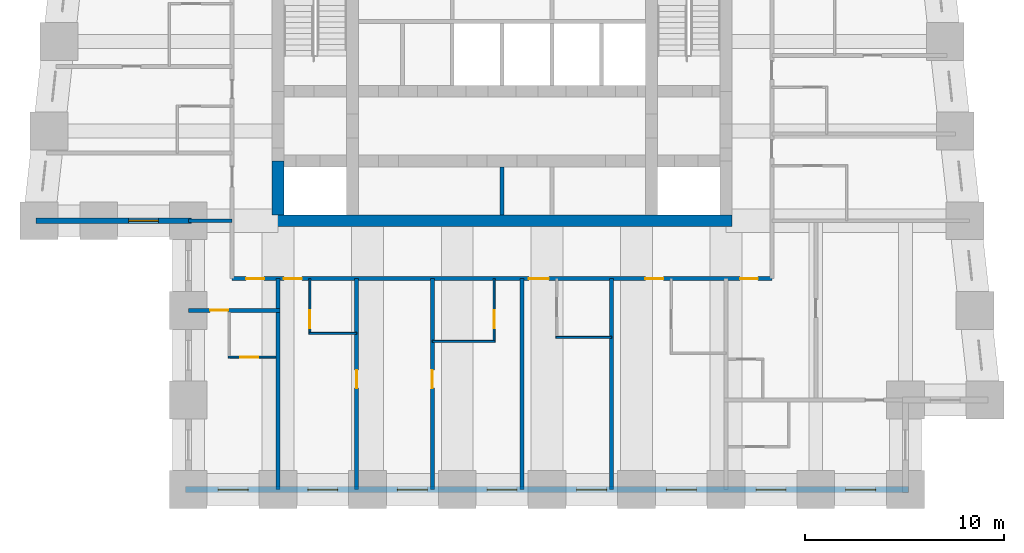
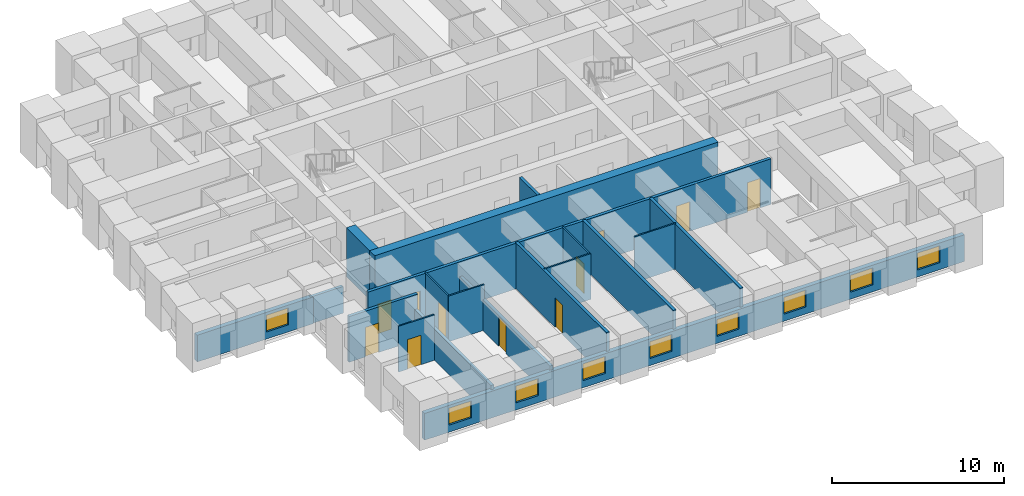
# One storey, part 2 of 8: 19 walls, 11 doors, 9 windows, 20 openings.
"""IFC4 building model written with IfcOpenShell, lengths in metres."""

from ifc_helpers import new_model, si_unit, direction, frame, frame_2d, origin, place, context, subcontext, project, spatial, rectangle, extrude, material, layer, layer_set, type_object, element, fill, save


model = new_model("IFC4")

# Units and contexts
model_context = context("Model", 3, precision=1e-05, world=origin(), true_north=direction((0.0, 1.0)))
body_context = subcontext(model_context, "Body", "Model", "MODEL_VIEW")
ifc_project = project(units=[si_unit("LENGTHUNIT", "METRE"), si_unit("AREAUNIT", "SQUARE_METRE"), si_unit("VOLUMEUNIT", "CUBIC_METRE"), si_unit("PLANEANGLEUNIT", "RADIAN"), si_unit("MASSUNIT", "GRAM", prefix="KILO")], contexts=[model_context])

# Site, building, storey
site_placement = place(None, origin())
site = spatial("IfcSite", under=ifc_project, at=site_placement, CompositionType="ELEMENT")
building_placement = place(site_placement, origin())
building = spatial("IfcBuilding", under=site, at=building_placement, Name="Kilele Tower Hotel", CompositionType="ELEMENT")
storey_placement = place(building_placement, frame((0.0, 0.0, 207.89990234375)))
storey = spatial("IfcBuildingStorey", under=building, at=storey_placement, Name="L54", CompositionType="ELEMENT", Elevation=207.89990234375)

# Wall
ifc_material_1 = material(Name="Moisture-resistant board")
ifc_layer_1 = layer(ifc_material_1, 0.10009765625)
ifc_layer_set_1 = layer_set([ifc_layer_1], Name="Moisture-resistant board")
wall_type_1 = type_object("IfcWallType", Name="Bathroom partition 100", PredefinedType="PLUMBINGWALL", material=ifc_layer_set_1)
wall_1_placement = place(storey_placement, frame((15.050048828125, 7.85009765625, 0.0), z_axis=(0.0, 0.0, 1.0), x_axis=(1.0, 0.0, 0.0)))
element("IfcWall", 1, at=wall_1_placement, inside=storey, type_object=wall_type_1, Name="Bathroom partition 100 L54", PredefinedType="PLUMBINGWALL", context=body_context, shape_type="SweptSolid", body=[
    extrude(rectangle(XDim=2.39990234375, YDim=0.10009765625, at=frame_2d((1.199951171875, 0.0))), origin(), (0.0, 0.0, 1.0), 3.25),
])

# Wall, opening, door
wall_2_placement = place(storey_placement, frame((15.10009765625, 10.60009765625, 0.0), z_axis=(0.0, 0.0, 1.0), x_axis=(0.0, -1.0, 0.0)))
wall_2 = element("IfcWall", 2, at=wall_2_placement, inside=storey, type_object=wall_type_1, Name="Bathroom partition 100 L54", PredefinedType="PLUMBINGWALL", context=body_context, shape_type="SweptSolid", body=[
    extrude(rectangle(XDim=2.800048828125, YDim=0.10009765625, at=frame_2d((1.39990234375, 0.0))), origin(), (0.0, 0.0, 1.0), 3.25),
])
opening_1_placement = place(wall_2_placement, frame((2.5, 0.0, 0.0), z_axis=(0.0, 0.0, 1.0), x_axis=(-1.0, 0.0, 0.0)))
opening_1 = element("IfcOpeningElement", 3, at=opening_1_placement, cuts=wall_2, Name="Opening D2A", PredefinedType="OPENING", context=body_context, shape_type="SweptSolid", body=[
    extrude(rectangle(XDim=0.89990234375, YDim=2.10009765625, at=frame_2d((0.449951171875, 1.050048828125))), frame((0.0, 0.06005859375, 0.0), z_axis=(0.0, -1.0, 0.0), x_axis=(1.0, 0.0, 0.0)), (0.0, 0.0, 1.0), 0.1201171875),
])
ifc_material_2 = material(Name="Timber door leaf in hardwood frame", Category="wood")
door_type_1 = type_object("IfcDoorType", Name="Bathroom door 900", OperationType="SINGLE_SWING_LEFT", PredefinedType="DOOR", material=ifc_material_2)
door_1_placement = place(opening_1_placement, origin())
door_1 = element("IfcDoor", 4, at=door_1_placement, inside=storey, type_object=door_type_1, Name="Bathroom door 5401B", OperationType="SINGLE_SWING_LEFT", OverallHeight=2.10009765625, OverallWidth=0.89990234375, PredefinedType="DOOR", context=body_context, shape_type="SweptSolid", body=[
    extrude(rectangle(XDim=0.89990234375, YDim=2.10009765625, at=frame_2d((0.449951171875, 1.050048828125))), frame((0.0, 0.02490234375, 0.0), z_axis=(0.0, -1.0, 0.0), x_axis=(1.0, 0.0, 0.0)), (0.0, 0.0, 1.0), 0.050048828125),
])
fill(opening_1, door_1)

# Wall
wall_3_placement = place(storey_placement, frame((21.25, 7.449951171875, 0.0), z_axis=(0.0, 0.0, 1.0), x_axis=(1.0, 0.0, 0.0)))
element("IfcWall", 5, at=wall_3_placement, inside=storey, type_object=wall_type_1, Name="Bathroom partition 100 L54", PredefinedType="PLUMBINGWALL", context=body_context, shape_type="SweptSolid", body=[
    extrude(rectangle(XDim=3.14990234375, YDim=0.10009765625, at=frame_2d((1.574951171875, 0.0))), origin(), (0.0, 0.0, 1.0), 3.25),
])

# Wall, opening, door
wall_4_placement = place(storey_placement, frame((24.35009765625, 10.60009765625, 0.0), z_axis=(0.0, 0.0, 1.0), x_axis=(0.0, -1.0, 0.0)))
wall_4 = element("IfcWall", 6, at=wall_4_placement, inside=storey, type_object=wall_type_1, Name="Bathroom partition 100 L54", PredefinedType="PLUMBINGWALL", context=body_context, shape_type="SweptSolid", body=[
    extrude(rectangle(XDim=3.2001953125, YDim=0.10009765625, at=frame_2d((1.60009765625, 0.0))), origin(), (0.0, 0.0, 1.0), 3.25),
])
opening_2_placement = place(wall_4_placement, frame((1.60009765625, 0.0, 0.0)))
opening_2 = element("IfcOpeningElement", 7, at=opening_2_placement, cuts=wall_4, Name="Opening D2A", PredefinedType="OPENING", context=body_context, shape_type="SweptSolid", body=[
    extrude(rectangle(XDim=0.89990234375, YDim=2.10009765625, at=frame_2d((0.449951171875, 1.050048828125))), frame((0.0, 0.06005859375, 0.0), z_axis=(0.0, -1.0, 0.0), x_axis=(1.0, 0.0, 0.0)), (0.0, 0.0, 1.0), 0.1201171875),
])
door_2_placement = place(opening_2_placement, origin())
door_2 = element("IfcDoor", 8, at=door_2_placement, inside=storey, type_object=door_type_1, Name="Bathroom door 5403B", OperationType="SINGLE_SWING_RIGHT", OverallHeight=2.10009765625, OverallWidth=0.89990234375, PredefinedType="DOOR", context=body_context, shape_type="SweptSolid", body=[
    extrude(rectangle(XDim=0.89990234375, YDim=2.10009765625, at=frame_2d((0.449951171875, 1.050048828125))), frame((0.0, 0.02490234375, 0.0), z_axis=(0.0, -1.0, 0.0), x_axis=(1.0, 0.0, 0.0)), (0.0, 0.0, 1.0), 0.050048828125),
])
fill(opening_2, door_2)

# Wall
wall_5_placement = place(storey_placement, frame((27.449951171875, 7.64990234375, 0.0), z_axis=(0.0, 0.0, 1.0), x_axis=(1.0, 0.0, 0.0)))
element("IfcWall", 9, at=wall_5_placement, inside=storey, type_object=wall_type_1, Name="Bathroom partition 100 L54", PredefinedType="PLUMBINGWALL", context=body_context, shape_type="SweptSolid", body=[
    extrude(rectangle(XDim=2.800048828125, YDim=0.10009765625, at=frame_2d((1.39990234375, 0.0))), origin(), (0.0, 0.0, 1.0), 3.25),
])

# Wall, opening, door
wall_6_placement = place(storey_placement, frame((13.39990234375, 6.64990234375, 0.0), z_axis=(0.0, 0.0, 1.0), x_axis=(-1.0, 0.0, 0.0)))
wall_6 = element("IfcWall", 10, at=wall_6_placement, inside=storey, type_object=wall_type_1, Name="Bathroom partition 100 L54", PredefinedType="PLUMBINGWALL", context=body_context, shape_type="SweptSolid", body=[
    extrude(rectangle(XDim=2.39990234375, YDim=0.10009765625, at=frame_2d((1.199951171875, 0.0))), origin(), (0.0, 0.0, 1.0), 3.25),
])
opening_3_placement = place(wall_6_placement, frame((0.89990234375, 0.0, 0.0)))
opening_3 = element("IfcOpeningElement", 11, at=opening_3_placement, cuts=wall_6, Name="Opening D2A", PredefinedType="OPENING", context=body_context, shape_type="SweptSolid", body=[
    extrude(rectangle(XDim=0.89990234375, YDim=2.10009765625, at=frame_2d((0.449951171875, 1.050048828125))), frame((0.0, 0.06005859375, 0.0), z_axis=(0.0, -1.0, 0.0), x_axis=(1.0, 0.0, 0.0)), (0.0, 0.0, 1.0), 0.1201171875),
])
door_3_placement = place(opening_3_placement, origin())
door_3 = element("IfcDoor", 12, at=door_3_placement, inside=storey, type_object=door_type_1, Name="Bathroom door 5418B", OperationType="SINGLE_SWING_LEFT", OverallHeight=2.10009765625, OverallWidth=0.89990234375, PredefinedType="DOOR", context=body_context, shape_type="SweptSolid", body=[
    extrude(rectangle(XDim=0.89990234375, YDim=2.10009765625, at=frame_2d((0.449951171875, 1.050048828125))), frame((0.0, 0.02490234375, 0.0), z_axis=(0.0, -1.0, 0.0), x_axis=(1.0, 0.0, 0.0)), (0.0, 0.0, 1.0), 0.050048828125),
])
fill(opening_3, door_3)

# Walls
ifc_material_3 = material(Name="Concrete C70/85", Category="concrete")
ifc_layer_2 = layer(ifc_material_3, 0.60009765625)
ifc_layer_set_2 = layer_set([ifc_layer_2], Name="Concrete C70/85")
wall_type_2 = type_object("IfcWallType", Name="Core wall 600 C70/85", PredefinedType="SHEAR", material=ifc_layer_set_2)
wall_7_placement = place(storey_placement, frame((13.199951171875, 13.5, 0.0), z_axis=(0.0, 0.0, 1.0), x_axis=(1.0, 0.0, 0.0)))
element("IfcWall", 13, at=wall_7_placement, inside=storey, type_object=wall_type_2, Name="Core wall S L54", PredefinedType="SHEAR", context=body_context, shape_type="SweptSolid", body=[
    extrude(rectangle(XDim=23.10009765625, YDim=0.60009765625, at=frame_2d((11.550048828125, 0.0))), origin(), (0.0, 0.0, 1.0), 3.5),
])
wall_8_placement = place(storey_placement, frame((13.5, 16.5, 0.0), z_axis=(0.0, 0.0, 1.0), x_axis=(0.0, -1.0, 0.0)))
element("IfcWall", 14, at=wall_8_placement, inside=storey, type_object=wall_type_2, Name="Core wall W3 L54", PredefinedType="SHEAR", context=body_context, shape_type="SweptSolid", body=[
    extrude(rectangle(XDim=2.699951171875, YDim=0.60009765625, at=frame_2d((1.35009765625, 0.0))), origin(), (0.0, 0.0, 1.0), 3.5),
])

# Wall, openings, doors
ifc_material_4 = material(Name="Blockwork, plastered both sides", Category="masonry")
ifc_layer_3 = layer(ifc_material_4, 0.199951171875)
ifc_layer_set_3 = layer_set([ifc_layer_3], Name="Blockwork, plastered both sides")
wall_type_3 = type_object("IfcWallType", Name="Corridor wall 200", PredefinedType="PARTITIONING", material=ifc_layer_set_3)
wall_9_placement = place(storey_placement, frame((11.199951171875, 10.60009765625, 0.0), z_axis=(0.0, 0.0, 1.0), x_axis=(1.0, 0.0, 0.0)))
wall_9 = element("IfcWall", 15, at=wall_9_placement, inside=storey, type_object=wall_type_3, Name="Corridor wall 200 L54", PredefinedType="PARTITIONING", context=body_context, shape_type="SweptSolid", body=[
    extrude(rectangle(XDim=27.10009765625, YDim=0.199951171875, at=frame_2d((13.550048828125, 0.0))), origin(), (0.0, 0.0, 1.0), 3.25),
])
opening_4_placement = place(wall_9_placement, frame((3.5, 0.0, 0.0), z_axis=(0.0, 0.0, 1.0), x_axis=(-1.0, 0.0, 0.0)))
opening_4 = element("IfcOpeningElement", 16, at=opening_4_placement, cuts=wall_9, Name="Opening D1", PredefinedType="OPENING", context=body_context, shape_type="SweptSolid", body=[
    extrude(rectangle(XDim=0.89990234375, YDim=2.10009765625, at=frame_2d((0.449951171875, 1.050048828125))), frame((0.0, 0.10986328125, 0.0), z_axis=(0.0, -1.0, 0.0), x_axis=(1.0, 0.0, 0.0)), (0.0, 0.0, 1.0), 0.219970703125),
])
opening_5_placement = place(wall_9_placement, frame((15.89990234375, 0.0, 0.0), z_axis=(0.0, 0.0, 1.0), x_axis=(-1.0, 0.0, 0.0)))
opening_5 = element("IfcOpeningElement", 17, at=opening_5_placement, cuts=wall_9, Name="Opening D1A", PredefinedType="OPENING", context=body_context, shape_type="SweptSolid", body=[
    extrude(rectangle(XDim=1.0, YDim=2.10009765625, at=frame_2d((0.5, 1.050048828125))), frame((0.0, 0.10986328125, 0.0), z_axis=(0.0, -1.0, 0.0), x_axis=(1.0, 0.0, 0.0)), (0.0, 0.0, 1.0), 0.219970703125),
])
opening_6_placement = place(wall_9_placement, frame((21.64990234375, 0.0, 0.0), z_axis=(0.0, 0.0, 1.0), x_axis=(-1.0, 0.0, 0.0)))
opening_6 = element("IfcOpeningElement", 18, at=opening_6_placement, cuts=wall_9, Name="Opening D1", PredefinedType="OPENING", context=body_context, shape_type="SweptSolid", body=[
    extrude(rectangle(XDim=0.89990234375, YDim=2.10009765625, at=frame_2d((0.449951171875, 1.050048828125))), frame((0.0, 0.10986328125, 0.0), z_axis=(0.0, -1.0, 0.0), x_axis=(1.0, 0.0, 0.0)), (0.0, 0.0, 1.0), 0.219970703125),
])
opening_7_placement = place(wall_9_placement, frame((1.599853515625, 0.0, 0.0), z_axis=(0.0, 0.0, 1.0), x_axis=(-1.0, 0.0, 0.0)))
opening_7 = element("IfcOpeningElement", 19, at=opening_7_placement, cuts=wall_9, Name="Opening D1", PredefinedType="OPENING", context=body_context, shape_type="SweptSolid", body=[
    extrude(rectangle(XDim=0.89990234375, YDim=2.10009765625, at=frame_2d((0.449951171875, 1.050048828125))), frame((0.0, 0.10986328125, 0.0), z_axis=(0.0, -1.0, 0.0), x_axis=(1.0, 0.0, 0.0)), (0.0, 0.0, 1.0), 0.219970703125),
])
opening_8_placement = place(wall_9_placement, frame((26.39990234375, 0.0, 0.0), z_axis=(0.0, 0.0, 1.0), x_axis=(-1.0, 0.0, 0.0)))
opening_8 = element("IfcOpeningElement", 20, at=opening_8_placement, cuts=wall_9, Name="Opening D1", PredefinedType="OPENING", context=body_context, shape_type="SweptSolid", body=[
    extrude(rectangle(XDim=0.89990234375, YDim=2.10009765625, at=frame_2d((0.449951171875, 1.050048828125))), frame((0.0, 0.10986328125, 0.0), z_axis=(0.0, -1.0, 0.0), x_axis=(1.0, 0.0, 0.0)), (0.0, 0.0, 1.0), 0.219970703125),
])
ifc_material_5 = material(Name="Timber door leaf in hardwood frame", Category="wood")
door_type_2 = type_object("IfcDoorType", Name="Guest room entrance door 1000", OperationType="SINGLE_SWING_LEFT", PredefinedType="DOOR", material=ifc_material_5)
door_4_placement = place(opening_5_placement, origin())
door_4 = element("IfcDoor", 21, at=door_4_placement, inside=storey, type_object=door_type_2, Name="Room entrance 5404", OperationType="SINGLE_SWING_LEFT", OverallHeight=2.10009765625, OverallWidth=1.0, PredefinedType="DOOR", context=body_context, shape_type="SweptSolid", body=[
    extrude(rectangle(XDim=1.0, YDim=2.10009765625, at=frame_2d((0.5, 1.050048828125))), frame((0.0, 0.02490234375, 0.0), z_axis=(0.0, -1.0, 0.0), x_axis=(1.0, 0.0, 0.0)), (0.0, 0.0, 1.0), 0.050048828125),
])
fill(opening_5, door_4)
ifc_material_6 = material(Name="Timber door leaf in hardwood frame", Category="wood")
door_type_3 = type_object("IfcDoorType", Name="Guest room entrance door 900", OperationType="SINGLE_SWING_LEFT", PredefinedType="DOOR", material=ifc_material_6)
door_5_placement = place(opening_4_placement, origin())
door_5 = element("IfcDoor", 22, at=door_5_placement, inside=storey, type_object=door_type_3, Name="Room entrance 5401", OperationType="SINGLE_SWING_RIGHT", OverallHeight=2.10009765625, OverallWidth=0.89990234375, PredefinedType="DOOR", context=body_context, shape_type="SweptSolid", body=[
    extrude(rectangle(XDim=0.89990234375, YDim=2.10009765625, at=frame_2d((0.449951171875, 1.050048828125))), frame((0.0, 0.02490234375, 0.0), z_axis=(0.0, -1.0, 0.0), x_axis=(1.0, 0.0, 0.0)), (0.0, 0.0, 1.0), 0.050048828125),
])
fill(opening_4, door_5)
door_6_placement = place(opening_6_placement, origin())
door_6 = element("IfcDoor", 23, at=door_6_placement, inside=storey, type_object=door_type_3, Name="Room entrance 5405", OperationType="SINGLE_SWING_LEFT", OverallHeight=2.10009765625, OverallWidth=0.89990234375, PredefinedType="DOOR", context=body_context, shape_type="SweptSolid", body=[
    extrude(rectangle(XDim=0.89990234375, YDim=2.10009765625, at=frame_2d((0.449951171875, 1.050048828125))), frame((0.0, 0.02490234375, 0.0), z_axis=(0.0, -1.0, 0.0), x_axis=(1.0, 0.0, 0.0)), (0.0, 0.0, 1.0), 0.050048828125),
])
fill(opening_6, door_6)
door_7_placement = place(opening_7_placement, origin())
door_7 = element("IfcDoor", 24, at=door_7_placement, inside=storey, type_object=door_type_3, Name="Room entrance 5417", OperationType="SINGLE_SWING_LEFT", OverallHeight=2.10009765625, OverallWidth=0.89990234375, PredefinedType="DOOR", context=body_context, shape_type="SweptSolid", body=[
    extrude(rectangle(XDim=0.89990234375, YDim=2.10009765625, at=frame_2d((0.449951171875, 1.050048828125))), frame((0.0, 0.02490234375, 0.0), z_axis=(0.0, -1.0, 0.0), x_axis=(1.0, 0.0, 0.0)), (0.0, 0.0, 1.0), 0.050048828125),
])
fill(opening_7, door_7)
door_8_placement = place(opening_8_placement, origin())
door_8 = element("IfcDoor", 25, at=door_8_placement, inside=storey, type_object=door_type_3, Name="Room entrance 5419", OperationType="SINGLE_SWING_RIGHT", OverallHeight=2.10009765625, OverallWidth=0.89990234375, PredefinedType="DOOR", context=body_context, shape_type="SweptSolid", body=[
    extrude(rectangle(XDim=0.89990234375, YDim=2.10009765625, at=frame_2d((0.449951171875, 1.050048828125))), frame((0.0, 0.02490234375, 0.0), z_axis=(0.0, -1.0, 0.0), x_axis=(1.0, 0.0, 0.0)), (0.0, 0.0, 1.0), 0.050048828125),
])
fill(opening_8, door_8)

# Wall, opening, door
ifc_material_7 = material(Name="Blockwork, plastered both sides", Category="masonry")
ifc_layer_4 = layer(ifc_material_7, 0.199951171875)
ifc_layer_set_4 = layer_set([ifc_layer_4], Name="Blockwork, plastered both sides")
wall_type_4 = type_object("IfcWallType", Name="Party wall 200", PredefinedType="PARTITIONING", material=ifc_layer_set_4)
wall_10_placement = place(storey_placement, frame((17.449951171875, 10.60009765625, 0.0), z_axis=(0.0, 0.0, 1.0), x_axis=(0.0, -1.0, 0.0)))
wall_10 = element("IfcWall", 26, at=wall_10_placement, inside=storey, type_object=wall_type_4, Name="Party wall 200 L54", PredefinedType="PARTITIONING", context=body_context, shape_type="SweptSolid", body=[
    extrude(rectangle(XDim=10.60009765625, YDim=0.199951171875, at=frame_2d((5.300048828125, 0.0))), origin(), (0.0, 0.0, 1.0), 2.2001953125),
])
opening_9_placement = place(wall_10_placement, frame((5.5, 0.0, 0.0), z_axis=(0.0, 0.0, 1.0), x_axis=(-1.0, 0.0, 0.0)))
opening_9 = element("IfcOpeningElement", 27, at=opening_9_placement, cuts=wall_10, Name="Opening D3", PredefinedType="OPENING", context=body_context, shape_type="SweptSolid", body=[
    extrude(rectangle(XDim=0.89990234375, YDim=2.10009765625, at=frame_2d((0.449951171875, 1.050048828125))), frame((0.0, 0.10986328125, 0.0), z_axis=(0.0, -1.0, 0.0), x_axis=(1.0, 0.0, 0.0)), (0.0, 0.0, 1.0), 0.219970703125),
])
ifc_material_8 = material(Name="Timber door leaf in hardwood frame", Category="wood")
door_type_4 = type_object("IfcDoorType", Name="Suite internal door 900", OperationType="SINGLE_SWING_LEFT", PredefinedType="DOOR", material=ifc_material_8)
door_9_placement = place(opening_9_placement, origin())
door_9 = element("IfcDoor", 28, at=door_9_placement, inside=storey, type_object=door_type_4, Name="Suite door 5402", OperationType="SINGLE_SWING_RIGHT", OverallHeight=2.10009765625, OverallWidth=0.89990234375, PredefinedType="DOOR", context=body_context, shape_type="SweptSolid", body=[
    extrude(rectangle(XDim=0.89990234375, YDim=2.10009765625, at=frame_2d((0.449951171875, 1.050048828125))), frame((0.0, 0.02490234375, 0.0), z_axis=(0.0, -1.0, 0.0), x_axis=(1.0, 0.0, 0.0)), (0.0, 0.0, 1.0), 0.050048828125),
])
fill(opening_9, door_9)

wall_11_placement = place(storey_placement, frame((21.25, 10.60009765625, 0.0), z_axis=(0.0, 0.0, 1.0), x_axis=(0.0, -1.0, 0.0)))
wall_11 = element("IfcWall", 29, at=wall_11_placement, inside=storey, type_object=wall_type_4, Name="Party wall 200 L54", PredefinedType="PARTITIONING", context=body_context, shape_type="SweptSolid", body=[
    extrude(rectangle(XDim=10.60009765625, YDim=0.199951171875, at=frame_2d((5.300048828125, 0.0))), origin(), (0.0, 0.0, 1.0), 3.25),
])
opening_10_placement = place(wall_11_placement, frame((4.60009765625, 0.0, 0.0)))
opening_10 = element("IfcOpeningElement", 30, at=opening_10_placement, cuts=wall_11, Name="Opening D3", PredefinedType="OPENING", context=body_context, shape_type="SweptSolid", body=[
    extrude(rectangle(XDim=0.89990234375, YDim=2.10009765625, at=frame_2d((0.449951171875, 1.050048828125))), frame((0.0, 0.10986328125, 0.0), z_axis=(0.0, -1.0, 0.0), x_axis=(1.0, 0.0, 0.0)), (0.0, 0.0, 1.0), 0.219970703125),
])
door_10_placement = place(opening_10_placement, origin())
door_10 = element("IfcDoor", 31, at=door_10_placement, inside=storey, type_object=door_type_4, Name="Suite door 5403", OperationType="SINGLE_SWING_LEFT", OverallHeight=2.10009765625, OverallWidth=0.89990234375, PredefinedType="DOOR", context=body_context, shape_type="SweptSolid", body=[
    extrude(rectangle(XDim=0.89990234375, YDim=2.10009765625, at=frame_2d((0.449951171875, 1.050048828125))), frame((0.0, 0.02490234375, 0.0), z_axis=(0.0, -1.0, 0.0), x_axis=(1.0, 0.0, 0.0)), (0.0, 0.0, 1.0), 0.050048828125),
])
fill(opening_10, door_10)

# Walls
for number, where, z_axis, x_axis, name in (
    (32, (25.75, 10.60009765625, 0.0), (0.0, 0.0, 1.0), (0.0, -1.0, 0.0), "Party wall 200 L54"),
    (33, (30.25, 10.60009765625, 0.0), (0.0, 0.0, 1.0), (0.0, -1.0, 0.0), "Party wall 200 L54"),
):
    element("IfcWall", number, at=place(storey_placement, frame(where, z_axis=z_axis, x_axis=x_axis)), inside=storey, type_object=wall_type_4, Name=name, PredefinedType="PARTITIONING", context=body_context, shape_type="SweptSolid", body=[
        extrude(rectangle(XDim=10.60009765625, YDim=0.199951171875, at=frame_2d((5.300048828125, 0.0))), origin(), (0.0, 0.0, 1.0), 3.25),
    ])
wall_12_placement = place(storey_placement, frame((11.199951171875, 13.5, 0.0), z_axis=(0.0, 0.0, 1.0), x_axis=(-1.0, 0.0, 0.0)))
element("IfcWall", 34, at=wall_12_placement, inside=storey, type_object=wall_type_4, Name="Party wall 200 L54", PredefinedType="PARTITIONING", context=body_context, shape_type="SweptSolid", body=[
    extrude(rectangle(XDim=2.199951171875, YDim=0.199951171875, at=frame_2d((1.10009765625, 0.0))), origin(), (0.0, 0.0, 1.0), 1.900146484375),
])
wall_13_placement = place(storey_placement, frame((13.5, 10.60009765625, 0.0), z_axis=(0.0, 0.0, 1.0), x_axis=(0.0, -1.0, 0.0)))
element("IfcWall", 35, at=wall_13_placement, inside=storey, type_object=wall_type_4, Name="Party wall 200 L54", PredefinedType="PARTITIONING", context=body_context, shape_type="SweptSolid", body=[
    extrude(rectangle(XDim=10.60009765625, YDim=0.199951171875, at=frame_2d((5.300048828125, 0.0))), origin(), (0.0, 0.0, 1.0), 2.2001953125),
])

# Wall, opening, door
wall_14_placement = place(storey_placement, frame((13.60009765625, 9.0, 0.0), z_axis=(0.0, 0.0, 1.0), x_axis=(-1.0, 0.0, 0.0)))
wall_14 = element("IfcWall", 36, at=wall_14_placement, inside=storey, type_object=wall_type_4, Name="Party wall 200 L54", PredefinedType="PARTITIONING", context=body_context, shape_type="SweptSolid", body=[
    extrude(rectangle(XDim=4.60009765625, YDim=0.199951171875, at=frame_2d((2.300048828125, 0.0))), origin(), (0.0, 0.0, 1.0), 3.25),
])
opening_11_placement = place(wall_14_placement, frame((2.60009765625, 0.0, 0.0)))
opening_11 = element("IfcOpeningElement", 37, at=opening_11_placement, cuts=wall_14, Name="Opening D3", PredefinedType="OPENING", context=body_context, shape_type="SweptSolid", body=[
    extrude(rectangle(XDim=0.89990234375, YDim=2.10009765625, at=frame_2d((0.449951171875, 1.050048828125))), frame((0.0, 0.10986328125, 0.0), z_axis=(0.0, -1.0, 0.0), x_axis=(1.0, 0.0, 0.0)), (0.0, 0.0, 1.0), 0.219970703125),
])
door_11_placement = place(opening_11_placement, origin())
door_11 = element("IfcDoor", 38, at=door_11_placement, inside=storey, type_object=door_type_4, Name="Suite door 5418", OperationType="SINGLE_SWING_LEFT", OverallHeight=2.10009765625, OverallWidth=0.89990234375, PredefinedType="DOOR", context=body_context, shape_type="SweptSolid", body=[
    extrude(rectangle(XDim=0.89990234375, YDim=2.10009765625, at=frame_2d((0.449951171875, 1.050048828125))), frame((0.0, 0.02490234375, 0.0), z_axis=(0.0, -1.0, 0.0), x_axis=(1.0, 0.0, 0.0)), (0.0, 0.0, 1.0), 0.050048828125),
])
fill(opening_11, door_11)

# Wall, opening, window
ifc_material_9 = material(Name="Concrete C40/50 precast", Category="concrete")
ifc_layer_5 = layer(ifc_material_9, 0.260009765625, Name="Precast backing", Category="LoadBearing")
ifc_material_10 = material(Name="Reconstituted stone finish", Category="masonry")
ifc_layer_6 = layer(ifc_material_10, 0.0400390625, Name="Face mix", Category="Finish")
ifc_layer_set_5 = layer_set([ifc_layer_5, ifc_layer_6], Name="Precast concrete C40/50, reconstituted stone finish")
wall_type_5 = type_object("IfcWallType", Name="Precast stone facade wall 300", PredefinedType="STANDARD", material=ifc_layer_set_5)
wall_15_placement = place(storey_placement, frame((1.35009765625, 13.5, 0.0), z_axis=(0.0, 0.0, 1.0), x_axis=(1.0, 0.0, 0.0)))
wall_15 = element("IfcWall", 39, at=wall_15_placement, inside=storey, type_object=wall_type_5, Name="Facade wall L54 edge 1", PredefinedType="STANDARD", context=body_context, shape_type="SweptSolid", body=[
    extrude(rectangle(XDim=7.7998046875, YDim=0.300048828125, at=frame_2d((3.89990234375, 0.0))), origin(), (0.0, 0.0, 1.0), 1.900146484375),
])
opening_12_placement = place(wall_15_placement, frame((4.64990234375, 0.0, 0.5)))
opening_12 = element("IfcOpeningElement", 40, at=opening_12_placement, cuts=wall_15, Name="Opening W3", PredefinedType="OPENING", context=body_context, shape_type="SweptSolid", body=[
    extrude(rectangle(XDim=1.5, YDim=1.199951171875, at=frame_2d((0.75, 0.60009765625))), frame((0.0, 0.159912109375, 0.0), z_axis=(0.0, -1.0, 0.0), x_axis=(1.0, 0.0, 0.0)), (0.0, 0.0, 1.0), 0.320068359375),
])
ifc_material_11 = material(Name="Aluminium frame, clear double glazing", Category="aluminium")
window_type = type_object("IfcWindowType", Name="Window W3 1500 x 1200", PartitioningType="SINGLE_PANEL", PredefinedType="WINDOW", material=ifc_material_11)
window_1_placement = place(opening_12_placement, origin())
window_1 = element("IfcWindow", 41, at=window_1_placement, inside=storey, type_object=window_type, Name="Window L54", OverallHeight=1.199951171875, OverallWidth=1.5, PartitioningType="SINGLE_PANEL", PredefinedType="WINDOW", context=body_context, shape_type="SweptSolid", body=[
    extrude(rectangle(XDim=1.5, YDim=1.199951171875, at=frame_2d((0.75, 0.60009765625))), frame((0.0, 0.030029296875, 0.0), z_axis=(0.0, -1.0, 0.0), x_axis=(1.0, 0.0, 0.0)), (0.0, 0.0, 1.0), 0.06005859375),
])
fill(opening_12, window_1)

# Wall, openings, windows
wall_16_placement = place(storey_placement, frame((8.85009765625, 0.0, 0.0), z_axis=(0.0, 0.0, 1.0), x_axis=(1.0, 0.0, 0.0)))
wall_16 = element("IfcWall", 42, at=wall_16_placement, inside=storey, type_object=wall_type_5, Name="Facade wall L54 edge 3", PredefinedType="STANDARD", context=body_context, shape_type="SweptSolid", body=[
    extrude(rectangle(XDim=36.2998046875, YDim=0.300048828125, at=frame_2d((18.14990234375, 0.0))), origin(), (0.0, 0.0, 1.0), 1.900146484375),
])
opening_13_placement = place(wall_16_placement, frame((1.64990234375, 0.0, 0.5)))
opening_13 = element("IfcOpeningElement", 43, at=opening_13_placement, cuts=wall_16, Name="Opening W3", PredefinedType="OPENING", context=body_context, shape_type="SweptSolid", body=[
    extrude(rectangle(XDim=1.5, YDim=1.199951171875, at=frame_2d((0.75, 0.60009765625))), frame((0.0, 0.159912109375, 0.0), z_axis=(0.0, -1.0, 0.0), x_axis=(1.0, 0.0, 0.0)), (0.0, 0.0, 1.0), 0.320068359375),
])
opening_14_placement = place(wall_16_placement, frame((6.14990234375, 0.0, 0.5)))
opening_14 = element("IfcOpeningElement", 44, at=opening_14_placement, cuts=wall_16, Name="Opening W3", PredefinedType="OPENING", context=body_context, shape_type="SweptSolid", body=[
    extrude(rectangle(XDim=1.5, YDim=1.199951171875, at=frame_2d((0.75, 0.60009765625))), frame((0.0, 0.159912109375, 0.0), z_axis=(0.0, -1.0, 0.0), x_axis=(1.0, 0.0, 0.0)), (0.0, 0.0, 1.0), 0.320068359375),
])
opening_15_placement = place(wall_16_placement, frame((10.64990234375, 0.0, 0.5)))
opening_15 = element("IfcOpeningElement", 45, at=opening_15_placement, cuts=wall_16, Name="Opening W3", PredefinedType="OPENING", context=body_context, shape_type="SweptSolid", body=[
    extrude(rectangle(XDim=1.5, YDim=1.199951171875, at=frame_2d((0.75, 0.60009765625))), frame((0.0, 0.159912109375, 0.0), z_axis=(0.0, -1.0, 0.0), x_axis=(1.0, 0.0, 0.0)), (0.0, 0.0, 1.0), 0.320068359375),
])
opening_16_placement = place(wall_16_placement, frame((15.14990234375, 0.0, 0.5)))
opening_16 = element("IfcOpeningElement", 46, at=opening_16_placement, cuts=wall_16, Name="Opening W3", PredefinedType="OPENING", context=body_context, shape_type="SweptSolid", body=[
    extrude(rectangle(XDim=1.5, YDim=1.199951171875, at=frame_2d((0.75, 0.60009765625))), frame((0.0, 0.159912109375, 0.0), z_axis=(0.0, -1.0, 0.0), x_axis=(1.0, 0.0, 0.0)), (0.0, 0.0, 1.0), 0.320068359375),
])
opening_17_placement = place(wall_16_placement, frame((19.64990234375, 0.0, 0.5)))
opening_17 = element("IfcOpeningElement", 47, at=opening_17_placement, cuts=wall_16, Name="Opening W3", PredefinedType="OPENING", context=body_context, shape_type="SweptSolid", body=[
    extrude(rectangle(XDim=1.5, YDim=1.199951171875, at=frame_2d((0.75, 0.60009765625))), frame((0.0, 0.159912109375, 0.0), z_axis=(0.0, -1.0, 0.0), x_axis=(1.0, 0.0, 0.0)), (0.0, 0.0, 1.0), 0.320068359375),
])
opening_18_placement = place(wall_16_placement, frame((24.14990234375, 0.0, 0.5)))
opening_18 = element("IfcOpeningElement", 48, at=opening_18_placement, cuts=wall_16, Name="Opening W3", PredefinedType="OPENING", context=body_context, shape_type="SweptSolid", body=[
    extrude(rectangle(XDim=1.5, YDim=1.199951171875, at=frame_2d((0.75, 0.60009765625))), frame((0.0, 0.159912109375, 0.0), z_axis=(0.0, -1.0, 0.0), x_axis=(1.0, 0.0, 0.0)), (0.0, 0.0, 1.0), 0.320068359375),
])
opening_19_placement = place(wall_16_placement, frame((28.64990234375, 0.0, 0.5)))
opening_19 = element("IfcOpeningElement", 49, at=opening_19_placement, cuts=wall_16, Name="Opening W3", PredefinedType="OPENING", context=body_context, shape_type="SweptSolid", body=[
    extrude(rectangle(XDim=1.5, YDim=1.199951171875, at=frame_2d((0.75, 0.60009765625))), frame((0.0, 0.159912109375, 0.0), z_axis=(0.0, -1.0, 0.0), x_axis=(1.0, 0.0, 0.0)), (0.0, 0.0, 1.0), 0.320068359375),
])
opening_20_placement = place(wall_16_placement, frame((33.14990234375, 0.0, 0.5)))
opening_20 = element("IfcOpeningElement", 50, at=opening_20_placement, cuts=wall_16, Name="Opening W3", PredefinedType="OPENING", context=body_context, shape_type="SweptSolid", body=[
    extrude(rectangle(XDim=1.5, YDim=1.199951171875, at=frame_2d((0.75, 0.60009765625))), frame((0.0, 0.159912109375, 0.0), z_axis=(0.0, -1.0, 0.0), x_axis=(1.0, 0.0, 0.0)), (0.0, 0.0, 1.0), 0.320068359375),
])
window_2_placement = place(opening_13_placement, origin())
window_2 = element("IfcWindow", 51, at=window_2_placement, inside=storey, type_object=window_type, Name="Window L54", OverallHeight=1.199951171875, OverallWidth=1.5, PartitioningType="SINGLE_PANEL", PredefinedType="WINDOW", context=body_context, shape_type="SweptSolid", body=[
    extrude(rectangle(XDim=1.5, YDim=1.199951171875, at=frame_2d((0.75, 0.60009765625))), frame((0.0, 0.030029296875, 0.0), z_axis=(0.0, -1.0, 0.0), x_axis=(1.0, 0.0, 0.0)), (0.0, 0.0, 1.0), 0.06005859375),
])
fill(opening_13, window_2)
window_3_placement = place(opening_14_placement, origin())
window_3 = element("IfcWindow", 52, at=window_3_placement, inside=storey, type_object=window_type, Name="Window L54", OverallHeight=1.199951171875, OverallWidth=1.5, PartitioningType="SINGLE_PANEL", PredefinedType="WINDOW", context=body_context, shape_type="SweptSolid", body=[
    extrude(rectangle(XDim=1.5, YDim=1.199951171875, at=frame_2d((0.75, 0.60009765625))), frame((0.0, 0.030029296875, 0.0), z_axis=(0.0, -1.0, 0.0), x_axis=(1.0, 0.0, 0.0)), (0.0, 0.0, 1.0), 0.06005859375),
])
fill(opening_14, window_3)
window_4_placement = place(opening_15_placement, origin())
window_4 = element("IfcWindow", 53, at=window_4_placement, inside=storey, type_object=window_type, Name="Window L54", OverallHeight=1.199951171875, OverallWidth=1.5, PartitioningType="SINGLE_PANEL", PredefinedType="WINDOW", context=body_context, shape_type="SweptSolid", body=[
    extrude(rectangle(XDim=1.5, YDim=1.199951171875, at=frame_2d((0.75, 0.60009765625))), frame((0.0, 0.030029296875, 0.0), z_axis=(0.0, -1.0, 0.0), x_axis=(1.0, 0.0, 0.0)), (0.0, 0.0, 1.0), 0.06005859375),
])
fill(opening_15, window_4)
window_5_placement = place(opening_16_placement, origin())
window_5 = element("IfcWindow", 54, at=window_5_placement, inside=storey, type_object=window_type, Name="Window L54", OverallHeight=1.199951171875, OverallWidth=1.5, PartitioningType="SINGLE_PANEL", PredefinedType="WINDOW", context=body_context, shape_type="SweptSolid", body=[
    extrude(rectangle(XDim=1.5, YDim=1.199951171875, at=frame_2d((0.75, 0.60009765625))), frame((0.0, 0.030029296875, 0.0), z_axis=(0.0, -1.0, 0.0), x_axis=(1.0, 0.0, 0.0)), (0.0, 0.0, 1.0), 0.06005859375),
])
fill(opening_16, window_5)
window_6_placement = place(opening_17_placement, origin())
window_6 = element("IfcWindow", 55, at=window_6_placement, inside=storey, type_object=window_type, Name="Window L54", OverallHeight=1.199951171875, OverallWidth=1.5, PartitioningType="SINGLE_PANEL", PredefinedType="WINDOW", context=body_context, shape_type="SweptSolid", body=[
    extrude(rectangle(XDim=1.5, YDim=1.199951171875, at=frame_2d((0.75, 0.60009765625))), frame((0.0, 0.030029296875, 0.0), z_axis=(0.0, -1.0, 0.0), x_axis=(1.0, 0.0, 0.0)), (0.0, 0.0, 1.0), 0.06005859375),
])
fill(opening_17, window_6)
window_7_placement = place(opening_18_placement, origin())
window_7 = element("IfcWindow", 56, at=window_7_placement, inside=storey, type_object=window_type, Name="Window L54", OverallHeight=1.199951171875, OverallWidth=1.5, PartitioningType="SINGLE_PANEL", PredefinedType="WINDOW", context=body_context, shape_type="SweptSolid", body=[
    extrude(rectangle(XDim=1.5, YDim=1.199951171875, at=frame_2d((0.75, 0.60009765625))), frame((0.0, 0.030029296875, 0.0), z_axis=(0.0, -1.0, 0.0), x_axis=(1.0, 0.0, 0.0)), (0.0, 0.0, 1.0), 0.06005859375),
])
fill(opening_18, window_7)
window_8_placement = place(opening_19_placement, origin())
window_8 = element("IfcWindow", 57, at=window_8_placement, inside=storey, type_object=window_type, Name="Window L54", OverallHeight=1.199951171875, OverallWidth=1.5, PartitioningType="SINGLE_PANEL", PredefinedType="WINDOW", context=body_context, shape_type="SweptSolid", body=[
    extrude(rectangle(XDim=1.5, YDim=1.199951171875, at=frame_2d((0.75, 0.60009765625))), frame((0.0, 0.030029296875, 0.0), z_axis=(0.0, -1.0, 0.0), x_axis=(1.0, 0.0, 0.0)), (0.0, 0.0, 1.0), 0.06005859375),
])
fill(opening_19, window_8)
window_9_placement = place(opening_20_placement, origin())
window_9 = element("IfcWindow", 58, at=window_9_placement, inside=storey, type_object=window_type, Name="Window L54", OverallHeight=1.199951171875, OverallWidth=1.5, PartitioningType="SINGLE_PANEL", PredefinedType="WINDOW", context=body_context, shape_type="SweptSolid", body=[
    extrude(rectangle(XDim=1.5, YDim=1.199951171875, at=frame_2d((0.75, 0.60009765625))), frame((0.0, 0.030029296875, 0.0), z_axis=(0.0, -1.0, 0.0), x_axis=(1.0, 0.0, 0.0)), (0.0, 0.0, 1.0), 0.06005859375),
])
fill(opening_20, window_9)

# Wall
ifc_material_12 = material(Name="Blockwork, fire-rated", Category="masonry")
ifc_layer_7 = layer(ifc_material_12, 0.199951171875)
ifc_layer_set_6 = layer_set([ifc_layer_7], Name="Blockwork, fire-rated")
wall_type_6 = type_object("IfcWallType", Name="Shaft wall 200", PredefinedType="PARTITIONING", material=ifc_layer_set_6)
wall_17_placement = place(storey_placement, frame((24.75, 13.800048828125, 0.0), z_axis=(0.0, 0.0, 1.0), x_axis=(0.0, 1.0, 0.0)))
element("IfcWall", 59, at=wall_17_placement, inside=storey, type_object=wall_type_6, Name="Shaft wall 200 L54", PredefinedType="PARTITIONING", context=body_context, shape_type="SweptSolid", body=[
    extrude(rectangle(XDim=2.39990234375, YDim=0.199951171875, at=frame_2d((1.199951171875, 0.0))), origin(), (0.0, 0.0, 1.0), 3.25),
])

save(model, "model.ifc")
